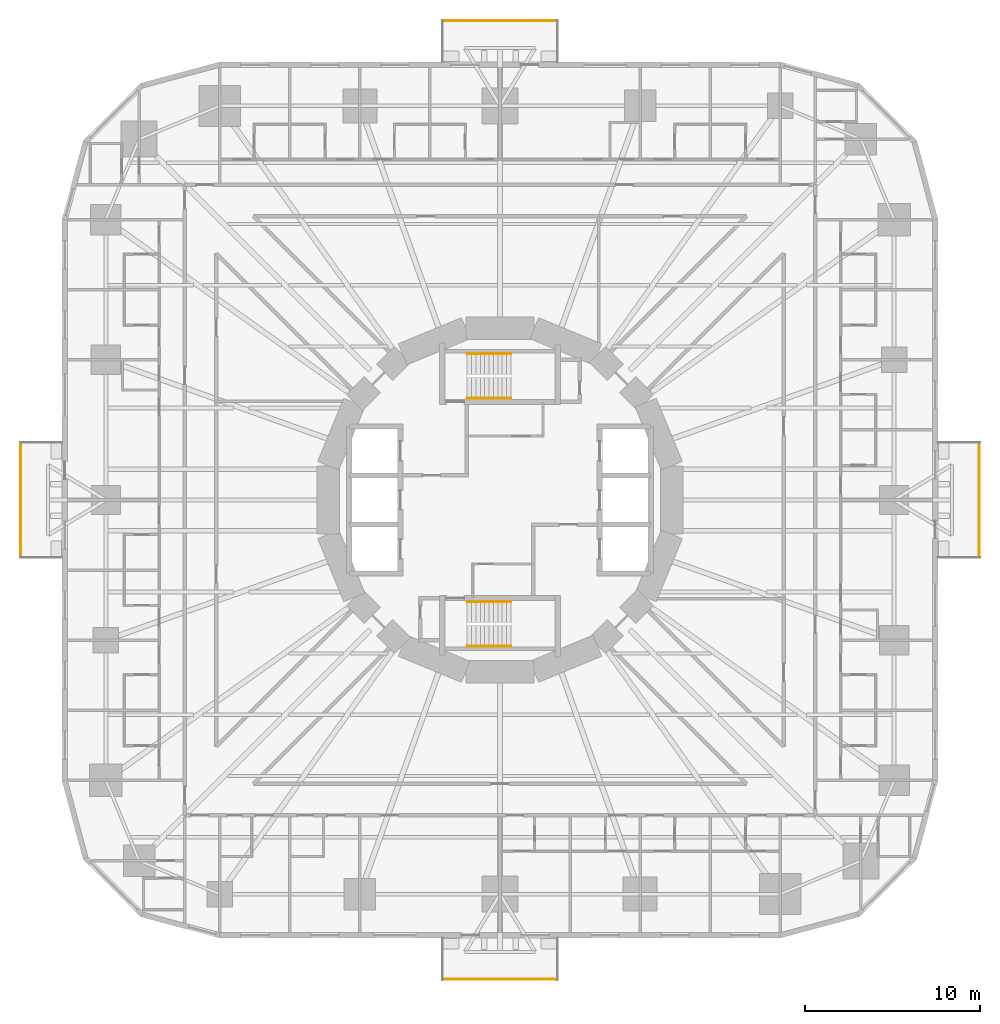
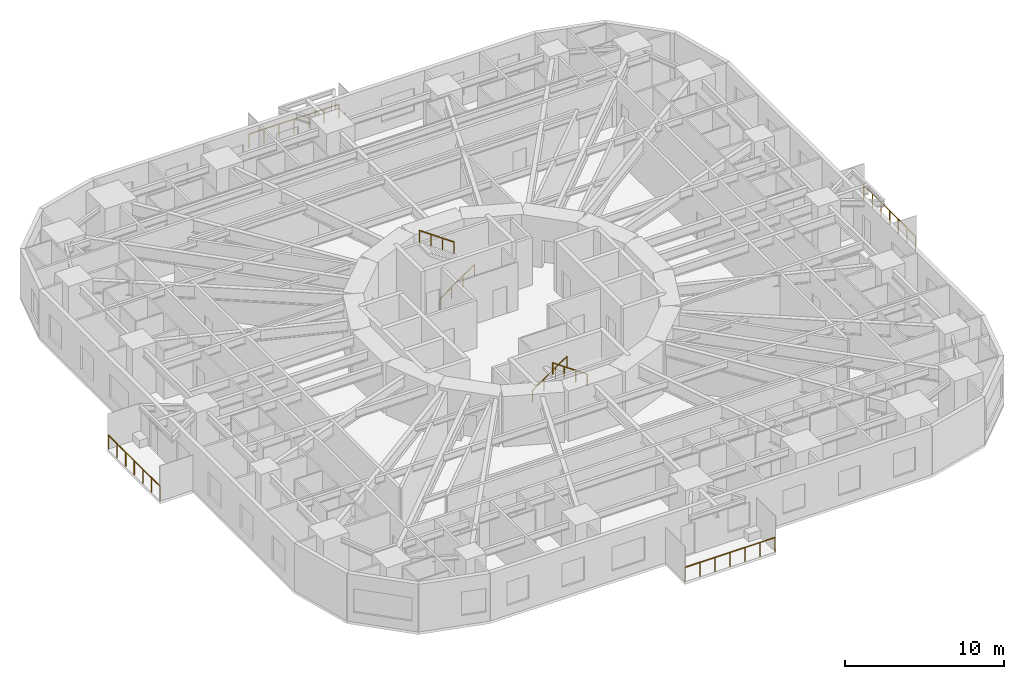
# One storey, part 13 of 14: 8 railings.
"""IFC4 building model written with IfcOpenShell, lengths in metres."""

from ifc_helpers import new_model, si_unit, direction, frame, origin, origin_2d, place, context, subcontext, project, spatial, circle, extrude, material, type_object, element, save


model = new_model("IFC4")

# Units and contexts
model_context = context("Model", 3, precision=1e-05, world=origin(), true_north=direction((0.0, 1.0)))
body_context = subcontext(model_context, "Body", "Model", "MODEL_VIEW")
ifc_project = project(units=[si_unit("LENGTHUNIT", "METRE"), si_unit("AREAUNIT", "SQUARE_METRE"), si_unit("VOLUMEUNIT", "CUBIC_METRE"), si_unit("PLANEANGLEUNIT", "RADIAN"), si_unit("MASSUNIT", "GRAM", prefix="KILO")], contexts=[model_context])

# Site, building, storey
site_placement = place(None, origin())
site = spatial("IfcSite", under=ifc_project, at=site_placement, CompositionType="ELEMENT")
building_placement = place(site_placement, origin())
building = spatial("IfcBuilding", under=site, at=building_placement, Name="Nakasero Lantern House", CompositionType="ELEMENT")
storey_placement = place(building_placement, frame((0.0, 0.0, 31.39990234375)))
storey = spatial("IfcBuildingStorey", under=building, at=storey_placement, Name="L07", CompositionType="ELEMENT", Elevation=31.39990234375)

# Railings
ifc_material_1 = material(Name="Aluminium 6063-T6", Category="aluminium")
railing_type_1 = type_object("IfcRailingType", Name="Balcony guard 1100", PredefinedType="BALUSTRADE", material=ifc_material_1)
railing_1_placement = place(storey_placement, frame((27.35009765625, -3.260009765625, 0.0)))
element("IfcRailing", 1, at=railing_1_placement, inside=storey, type_object=railing_type_1, Name="Balcony guard L07 BAL0", PredefinedType="BALUSTRADE", context=body_context, shape_type="SweptSolid", body=[
    extrude(circle(Radius=0.02392578125, at=origin_2d()), frame((0.0, 0.0, 1.076171875), z_axis=(0.0, 1.0, 0.0), x_axis=(-1.0, 0.0, 0.0)), (0.0, 0.0, 1.0), 6.52001953125),
    extrude(circle(Radius=0.02099609375, at=origin_2d()), origin(), (0.0, 0.0, 1.0), 1.052001953125),
    extrude(circle(Radius=0.02099609375, at=origin_2d()), frame((0.0, 1.086669921875, 0.0)), (0.0, 0.0, 1.0), 1.052001953125),
    extrude(circle(Radius=0.02099609375, at=origin_2d()), frame((0.0, 2.17333984375, 0.0)), (0.0, 0.0, 1.0), 1.052001953125),
    extrude(circle(Radius=0.02099609375, at=origin_2d()), frame((0.0, 3.260009765625, 0.0)), (0.0, 0.0, 1.0), 1.052001953125),
    extrude(circle(Radius=0.02099609375, at=origin_2d()), frame((0.0, 4.3466796875, 0.0)), (0.0, 0.0, 1.0), 1.052001953125),
    extrude(circle(Radius=0.02099609375, at=origin_2d()), frame((0.0, 5.433349609375, 0.0)), (0.0, 0.0, 1.0), 1.052001953125),
    extrude(circle(Radius=0.02099609375, at=origin_2d()), frame((0.0, 6.52001953125, 0.0)), (0.0, 0.0, 1.0), 1.052001953125),
])
railing_2_placement = place(storey_placement, frame((3.260009765625, 27.35009765625, 0.0)))
element("IfcRailing", 2, at=railing_2_placement, inside=storey, type_object=railing_type_1, Name="Balcony guard L07 BAL1", PredefinedType="BALUSTRADE", context=body_context, shape_type="SweptSolid", body=[
    extrude(circle(Radius=0.02392578125, at=origin_2d()), frame((0.0, 0.0, 1.076171875), z_axis=(-1.0, 0.0, 0.0), x_axis=(0.0, -1.0, 0.0)), (0.0, 0.0, 1.0), 6.52001953125),
    extrude(circle(Radius=0.02099609375, at=origin_2d()), origin(), (0.0, 0.0, 1.0), 1.052001953125),
    extrude(circle(Radius=0.02099609375, at=origin_2d()), frame((-1.086669921875, 0.0, 0.0)), (0.0, 0.0, 1.0), 1.052001953125),
    extrude(circle(Radius=0.02099609375, at=origin_2d()), frame((-2.17333984375, 0.0, 0.0)), (0.0, 0.0, 1.0), 1.052001953125),
    extrude(circle(Radius=0.02099609375, at=origin_2d()), frame((-3.260009765625, 0.0, 0.0)), (0.0, 0.0, 1.0), 1.052001953125),
    extrude(circle(Radius=0.02099609375, at=origin_2d()), frame((-4.3466796875, 0.0, 0.0)), (0.0, 0.0, 1.0), 1.052001953125),
    extrude(circle(Radius=0.02099609375, at=origin_2d()), frame((-5.433349609375, 0.0, 0.0)), (0.0, 0.0, 1.0), 1.052001953125),
    extrude(circle(Radius=0.02099609375, at=origin_2d()), frame((-6.52001953125, 0.0, 0.0)), (0.0, 0.0, 1.0), 1.052001953125),
])
railing_3_placement = place(storey_placement, frame((-27.35009765625, 3.260009765625, 0.0)))
element("IfcRailing", 3, at=railing_3_placement, inside=storey, type_object=railing_type_1, Name="Balcony guard L07 BAL2", PredefinedType="BALUSTRADE", context=body_context, shape_type="SweptSolid", body=[
    extrude(circle(Radius=0.02392578125, at=origin_2d()), frame((0.0, 0.0, 1.076171875), z_axis=(0.0, -1.0, 0.0), x_axis=(1.0, 0.0, 0.0)), (0.0, 0.0, 1.0), 6.52001953125),
    extrude(circle(Radius=0.02099609375, at=origin_2d()), origin(), (0.0, 0.0, 1.0), 1.052001953125),
    extrude(circle(Radius=0.02099609375, at=origin_2d()), frame((0.0, -1.086669921875, 0.0)), (0.0, 0.0, 1.0), 1.052001953125),
    extrude(circle(Radius=0.02099609375, at=origin_2d()), frame((0.0, -2.17333984375, 0.0)), (0.0, 0.0, 1.0), 1.052001953125),
    extrude(circle(Radius=0.02099609375, at=origin_2d()), frame((0.0, -3.260009765625, 0.0)), (0.0, 0.0, 1.0), 1.052001953125),
    extrude(circle(Radius=0.02099609375, at=origin_2d()), frame((0.0, -4.3466796875, 0.0)), (0.0, 0.0, 1.0), 1.052001953125),
    extrude(circle(Radius=0.02099609375, at=origin_2d()), frame((0.0, -5.433349609375, 0.0)), (0.0, 0.0, 1.0), 1.052001953125),
    extrude(circle(Radius=0.02099609375, at=origin_2d()), frame((0.0, -6.52001953125, 0.0)), (0.0, 0.0, 1.0), 1.052001953125),
])
railing_4_placement = place(storey_placement, frame((-3.260009765625, -27.35009765625, 0.0)))
element("IfcRailing", 4, at=railing_4_placement, inside=storey, type_object=railing_type_1, Name="Balcony guard L07 BAL3", PredefinedType="BALUSTRADE", context=body_context, shape_type="SweptSolid", body=[
    extrude(circle(Radius=0.02392578125, at=origin_2d()), frame((0.0, 0.0, 1.076171875), z_axis=(1.0, 0.0, 0.0), x_axis=(0.0, 1.0, 0.0)), (0.0, 0.0, 1.0), 6.52001953125),
    extrude(circle(Radius=0.02099609375, at=origin_2d()), origin(), (0.0, 0.0, 1.0), 1.052001953125),
    extrude(circle(Radius=0.02099609375, at=origin_2d()), frame((1.086669921875, 0.0, 0.0)), (0.0, 0.0, 1.0), 1.052001953125),
    extrude(circle(Radius=0.02099609375, at=origin_2d()), frame((2.17333984375, 0.0, 0.0)), (0.0, 0.0, 1.0), 1.052001953125),
    extrude(circle(Radius=0.02099609375, at=origin_2d()), frame((3.260009765625, 0.0, 0.0)), (0.0, 0.0, 1.0), 1.052001953125),
    extrude(circle(Radius=0.02099609375, at=origin_2d()), frame((4.3466796875, 0.0, 0.0)), (0.0, 0.0, 1.0), 1.052001953125),
    extrude(circle(Radius=0.02099609375, at=origin_2d()), frame((5.433349609375, 0.0, 0.0)), (0.0, 0.0, 1.0), 1.052001953125),
    extrude(circle(Radius=0.02099609375, at=origin_2d()), frame((6.52001953125, 0.0, 0.0)), (0.0, 0.0, 1.0), 1.052001953125),
])
ifc_material_2 = material(Name="Stainless steel 316", Category="steel")
railing_type_2 = type_object("IfcRailingType", Name="Stair handrail 900", PredefinedType="HANDRAIL", material=ifc_material_2)
railing_5_placement = place(storey_placement, frame((-1.875, 5.800048828125, 0.175048828125)))
element("IfcRailing", 5, at=railing_5_placement, inside=storey, type_object=railing_type_2, Name="Handrail ST1 L07 flight 1", PredefinedType="HANDRAIL", context=body_context, shape_type="SweptSolid", body=[
    extrude(circle(Radius=0.02392578125, at=origin_2d()), frame((0.0, 0.0, 0.8759765625), z_axis=(0.819231920519, 0.0, 0.573462344363), x_axis=(0.0, 1.0, 0.0)), (0.0, 0.0, 1.0), 3.0517578125),
    extrude(circle(Radius=0.02099609375, at=origin_2d()), origin(), (0.0, 0.0, 1.0), 0.851806640625),
    extrude(circle(Radius=0.02099609375, at=origin_2d()), frame((0.833251953125, 0.0, 0.583251953125)), (0.0, 0.0, 1.0), 0.851806640625),
    extrude(circle(Radius=0.02099609375, at=origin_2d()), frame((1.666748046875, 0.0, 1.166748046875)), (0.0, 0.0, 1.0), 0.851806640625),
    extrude(circle(Radius=0.02099609375, at=origin_2d()), frame((2.5, 0.0, 1.75)), (0.0, 0.0, 1.0), 0.851806640625),
])
railing_6_placement = place(storey_placement, frame((0.625, 8.35009765625, 2.10009765625)))
element("IfcRailing", 6, at=railing_6_placement, inside=storey, type_object=railing_type_2, Name="Handrail ST1 L07 flight 2", PredefinedType="HANDRAIL", context=body_context, shape_type="SweptSolid", body=[
    extrude(circle(Radius=0.02392578125, at=origin_2d()), frame((0.0, 0.0, 0.8759765625), z_axis=(-0.819231920519, 0.0, 0.573462344363), x_axis=(0.0, -1.0, 0.0)), (0.0, 0.0, 1.0), 3.0517578125),
    extrude(circle(Radius=0.02099609375, at=origin_2d()), origin(), (0.0, 0.0, 1.0), 0.851806640625),
    extrude(circle(Radius=0.02099609375, at=origin_2d()), frame((-0.833251953125, 0.0, 0.583251953125)), (0.0, 0.0, 1.0), 0.851806640625),
    extrude(circle(Radius=0.02099609375, at=origin_2d()), frame((-1.666748046875, 0.0, 1.166748046875)), (0.0, 0.0, 1.0), 0.851806640625),
    extrude(circle(Radius=0.02099609375, at=origin_2d()), frame((-2.5, 0.0, 1.75)), (0.0, 0.0, 1.0), 0.851806640625),
])
railing_7_placement = place(storey_placement, frame((-1.875, -5.800048828125, 0.175048828125)))
element("IfcRailing", 7, at=railing_7_placement, inside=storey, type_object=railing_type_2, Name="Handrail ST2 L07 flight 1", PredefinedType="HANDRAIL", context=body_context, shape_type="SweptSolid", body=[
    extrude(circle(Radius=0.02392578125, at=origin_2d()), frame((0.0, 0.0, 0.8759765625), z_axis=(0.819231920519, 0.0, 0.573462344363), x_axis=(0.0, 1.0, 0.0)), (0.0, 0.0, 1.0), 3.0517578125),
    extrude(circle(Radius=0.02099609375, at=origin_2d()), origin(), (0.0, 0.0, 1.0), 0.851806640625),
    extrude(circle(Radius=0.02099609375, at=origin_2d()), frame((0.833251953125, 0.0, 0.583251953125)), (0.0, 0.0, 1.0), 0.851806640625),
    extrude(circle(Radius=0.02099609375, at=origin_2d()), frame((1.666748046875, 0.0, 1.166748046875)), (0.0, 0.0, 1.0), 0.851806640625),
    extrude(circle(Radius=0.02099609375, at=origin_2d()), frame((2.5, 0.0, 1.75)), (0.0, 0.0, 1.0), 0.851806640625),
])
railing_8_placement = place(storey_placement, frame((0.625, -8.35009765625, 2.10009765625)))
element("IfcRailing", 8, at=railing_8_placement, inside=storey, type_object=railing_type_2, Name="Handrail ST2 L07 flight 2", PredefinedType="HANDRAIL", context=body_context, shape_type="SweptSolid", body=[
    extrude(circle(Radius=0.02392578125, at=origin_2d()), frame((0.0, 0.0, 0.8759765625), z_axis=(-0.819231920519, 0.0, 0.573462344363), x_axis=(0.0, -1.0, 0.0)), (0.0, 0.0, 1.0), 3.0517578125),
    extrude(circle(Radius=0.02099609375, at=origin_2d()), origin(), (0.0, 0.0, 1.0), 0.851806640625),
    extrude(circle(Radius=0.02099609375, at=origin_2d()), frame((-0.833251953125, 0.0, 0.583251953125)), (0.0, 0.0, 1.0), 0.851806640625),
    extrude(circle(Radius=0.02099609375, at=origin_2d()), frame((-1.666748046875, 0.0, 1.166748046875)), (0.0, 0.0, 1.0), 0.851806640625),
    extrude(circle(Radius=0.02099609375, at=origin_2d()), frame((-2.5, 0.0, 1.75)), (0.0, 0.0, 1.0), 0.851806640625),
])

save(model, "model.ifc")
